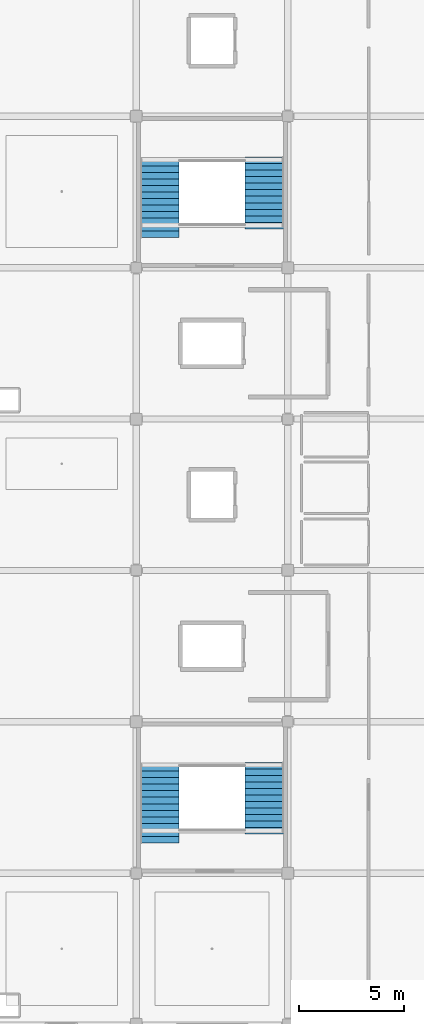
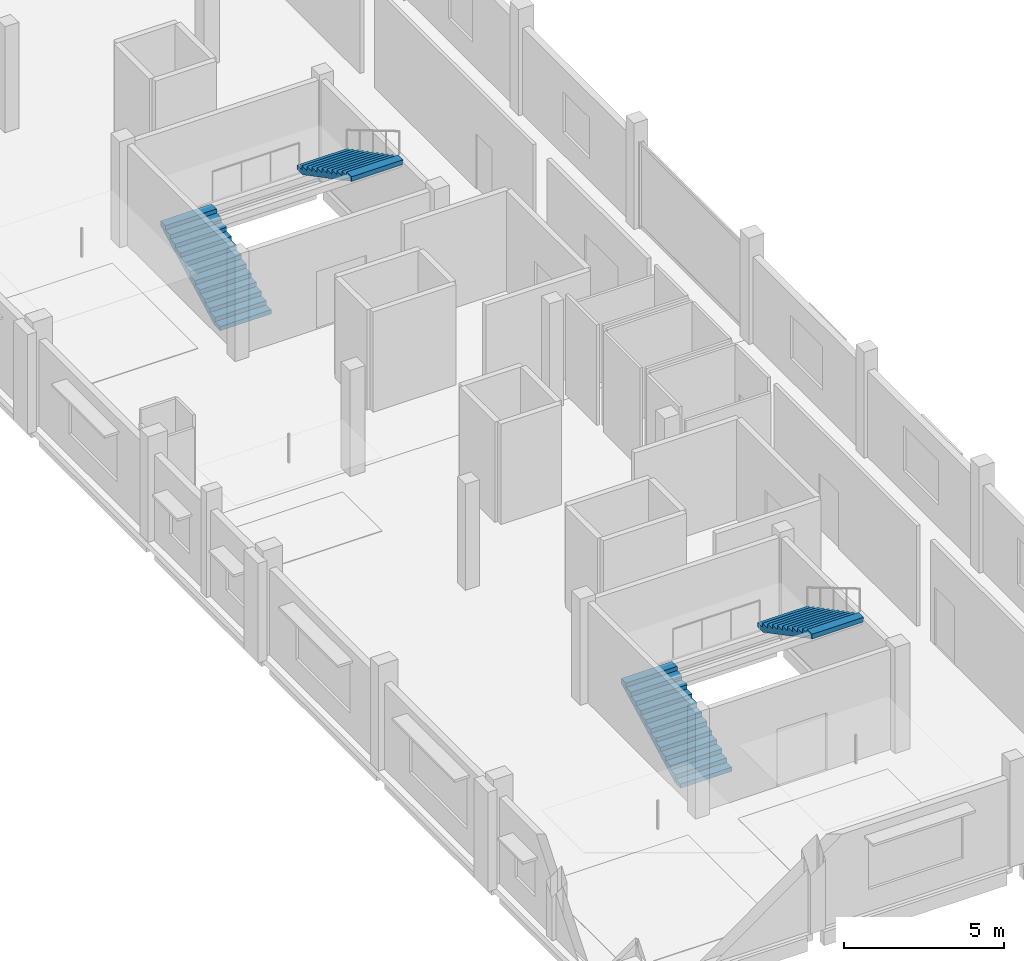
# One storey, part 11 of 15: 4 stair flights, 2 elements without a shape of their own.
"""IFC4 building model written with IfcOpenShell, lengths in metres."""

from ifc_helpers import new_model, si_unit, direction, frame, origin, place, context, subcontext, project, spatial, polyline, outline, extrude, material, type_object, element, aggregate, save


model = new_model("IFC4")

# Units and contexts
model_context = context("Model", 3, precision=1e-05, world=origin(), true_north=direction((0.0, 1.0)))
body_context = subcontext(model_context, "Body", "Model", "MODEL_VIEW")
ifc_project = project(units=[si_unit("LENGTHUNIT", "METRE"), si_unit("AREAUNIT", "SQUARE_METRE"), si_unit("VOLUMEUNIT", "CUBIC_METRE"), si_unit("PLANEANGLEUNIT", "RADIAN"), si_unit("MASSUNIT", "GRAM", prefix="KILO")], contexts=[model_context])

# Site, building, storey
site_placement = place(None, origin())
site = spatial("IfcSite", under=ifc_project, at=site_placement, CompositionType="ELEMENT")
building_placement = place(site_placement, origin())
building = spatial("IfcBuilding", under=site, at=building_placement, Name="Kangsadwip Square Police Headquarters", CompositionType="ELEMENT")
storey_placement = place(building_placement, frame((0.0, 0.0, 29.699951171875)))
storey = spatial("IfcBuildingStorey", under=building, at=storey_placement, Name="L07", CompositionType="ELEMENT", Elevation=29.699951171875)

# Stair, stair flight
ifc_material_1 = material(Name="Concrete M35 (35 MPa)", Category="concrete")
stair_type = type_object("IfcStairType", Name="Stair2FlightTypW1850", PredefinedType="HALF_TURN_STAIR", material=ifc_material_1)
stair_1_placement = place(storey_placement, origin())
stair_1 = element("IfcStair", 1, at=stair_1_placement, inside=storey, type_object=stair_type, Name="Protected Stair ST-01 L07", PredefinedType="HALF_TURN_STAIR")
ifc_material_2 = material(Name="Concrete M35 (35 MPa)", Category="concrete")
stair_flight_type_1 = type_object("IfcStairFlightType", Name="Flight12RTypW1850", PredefinedType="STRAIGHT", material=ifc_material_2)
stair_flight_1_placement = place(storey_placement, frame((13.294921875, 48.4599609375, 2.10595703125), z_axis=(0.0, 0.0, 1.0), x_axis=(0.0, -1.0, 0.0)))
stair_flight_1 = element("IfcStairFlight", 2, at=stair_flight_1_placement, type_object=stair_flight_type_1, Name="ST-01 flight 2", NumberOfRisers=12, NumberOfTreads=11, PredefinedType="STRAIGHT", RiserHeight=0.162, TreadLength=0.31, context=body_context, shape_type="SweptSolid", body=[
    extrude(outline(polyline([(0.0, 0.0), (0.0, 0.162109375), (0.31005859375, 0.162109375), (0.31005859375, 0.323974609375), (0.6201171875, 0.323974609375), (0.6201171875, 0.486083984375), (0.929931640625, 0.486083984375), (0.929931640625, 0.64794921875), (1.239990234375, 0.64794921875), (1.239990234375, 0.81005859375), (1.550048828125, 0.81005859375), (1.550048828125, 0.971923828125), (1.860107421875, 0.971923828125), (1.860107421875, 1.134033203125), (2.169921875, 1.134033203125), (2.169921875, 1.2958984375), (2.47998046875, 1.2958984375), (2.47998046875, 1.4580078125), (2.7900390625, 1.4580078125), (2.7900390625, 1.6201171875), (3.10009765625, 1.6201171875), (3.10009765625, 1.781982421875), (3.409912109375, 1.781982421875), (3.409912109375, 1.944091796875), (3.409912109375, 1.6015625), (0.34521484375, 0.0), (0.0, 0.0)])), frame((0.0, 0.925048828125, 0.0), z_axis=(0.0, -1.0, 0.0), x_axis=(1.0, 0.0, 0.0)), (0.0, 0.0, 1.0), 1.85009765625),
])

stair_2_placement = place(storey_placement, origin())
stair_2 = element("IfcStair", 3, at=stair_2_placement, inside=storey, type_object=stair_type, Name="Protected Stair ST-02 L07", PredefinedType="HALF_TURN_STAIR")
stair_flight_2_placement = place(storey_placement, frame((13.294921875, 77.260009765625, 2.10595703125), z_axis=(0.0, 0.0, 1.0), x_axis=(0.0, -1.0, 0.0)))
stair_flight_2 = element("IfcStairFlight", 4, at=stair_flight_2_placement, type_object=stair_flight_type_1, Name="ST-02 flight 2", NumberOfRisers=12, NumberOfTreads=11, PredefinedType="STRAIGHT", RiserHeight=0.162, TreadLength=0.31, context=body_context, shape_type="SweptSolid", body=[
    extrude(outline(polyline([(0.0, 0.0), (0.0, 0.162109375), (0.31005859375, 0.162109375), (0.31005859375, 0.323974609375), (0.6201171875, 0.323974609375), (0.6201171875, 0.486083984375), (0.929931640625, 0.486083984375), (0.929931640625, 0.64794921875), (1.239990234375, 0.64794921875), (1.239990234375, 0.81005859375), (1.550048828125, 0.81005859375), (1.550048828125, 0.971923828125), (1.860107421875, 0.971923828125), (1.860107421875, 1.134033203125), (2.169921875, 1.134033203125), (2.169921875, 1.2958984375), (2.47998046875, 1.2958984375), (2.47998046875, 1.4580078125), (2.7900390625, 1.4580078125), (2.7900390625, 1.6201171875), (3.10009765625, 1.6201171875), (3.10009765625, 1.781982421875), (3.409912109375, 1.781982421875), (3.409912109375, 1.944091796875), (3.409912109375, 1.6015625), (0.34521484375, 0.0), (0.0, 0.0)])), frame((0.0, 0.925048828125, 0.0), z_axis=(0.0, -1.0, 0.0), x_axis=(1.0, 0.0, 0.0)), (0.0, 0.0, 1.0), 1.85009765625),
])

# Stair flight
ifc_material_3 = material(Name="Concrete M35 (35 MPa)", Category="concrete")
stair_flight_type_2 = type_object("IfcStairFlightType", Name="Flight13RTypW1850", PredefinedType="STRAIGHT", material=ifc_material_3)
stair_flight_3_placement = place(storey_placement, frame((8.304931640625, 44.639892578125, 0.0), z_axis=(0.0, 0.0, 1.0), x_axis=(0.0, 1.0, 0.0)))
stair_flight_3 = element("IfcStairFlight", 5, at=stair_flight_3_placement, type_object=stair_flight_type_2, Name="ST-01 flight 1", NumberOfRisers=13, NumberOfTreads=12, PredefinedType="STRAIGHT", RiserHeight=0.162, TreadLength=0.31, context=body_context, shape_type="SweptSolid", body=[
    extrude(outline(polyline([(0.0, 0.0), (0.0, 0.162109375), (0.31005859375, 0.162109375), (0.31005859375, 0.323974609375), (0.6201171875, 0.323974609375), (0.6201171875, 0.486083984375), (0.929931640625, 0.486083984375), (0.929931640625, 0.64794921875), (1.239990234375, 0.64794921875), (1.239990234375, 0.81005859375), (1.550048828125, 0.81005859375), (1.550048828125, 0.971923828125), (1.860107421875, 0.971923828125), (1.860107421875, 1.134033203125), (2.169921875, 1.134033203125), (2.169921875, 1.2958984375), (2.47998046875, 1.2958984375), (2.47998046875, 1.4580078125), (2.7900390625, 1.4580078125), (2.7900390625, 1.6201171875), (3.10009765625, 1.6201171875), (3.10009765625, 1.781982421875), (3.409912109375, 1.781982421875), (3.409912109375, 1.944091796875), (3.719970703125, 1.944091796875), (3.719970703125, 2.10595703125), (3.719970703125, 1.763671875), (0.34521484375, 0.0), (0.0, 0.0)])), frame((0.0, 0.925048828125, 0.0), z_axis=(0.0, -1.0, 0.0), x_axis=(1.0, 0.0, 0.0)), (0.0, 0.0, 1.0), 1.85009765625),
])

aggregate(stair_1, [stair_flight_3, stair_flight_1])

stair_flight_4_placement = place(storey_placement, frame((8.304931640625, 73.43994140625, 0.0), z_axis=(0.0, 0.0, 1.0), x_axis=(0.0, 1.0, 0.0)))
stair_flight_4 = element("IfcStairFlight", 6, at=stair_flight_4_placement, type_object=stair_flight_type_2, Name="ST-02 flight 1", NumberOfRisers=13, NumberOfTreads=12, PredefinedType="STRAIGHT", RiserHeight=0.162, TreadLength=0.31, context=body_context, shape_type="SweptSolid", body=[
    extrude(outline(polyline([(0.0, 0.0), (0.0, 0.162109375), (0.31005859375, 0.162109375), (0.31005859375, 0.323974609375), (0.6201171875, 0.323974609375), (0.6201171875, 0.486083984375), (0.929931640625, 0.486083984375), (0.929931640625, 0.64794921875), (1.239990234375, 0.64794921875), (1.239990234375, 0.81005859375), (1.550048828125, 0.81005859375), (1.550048828125, 0.971923828125), (1.860107421875, 0.971923828125), (1.860107421875, 1.134033203125), (2.169921875, 1.134033203125), (2.169921875, 1.2958984375), (2.47998046875, 1.2958984375), (2.47998046875, 1.4580078125), (2.7900390625, 1.4580078125), (2.7900390625, 1.6201171875), (3.10009765625, 1.6201171875), (3.10009765625, 1.781982421875), (3.409912109375, 1.781982421875), (3.409912109375, 1.944091796875), (3.719970703125, 1.944091796875), (3.719970703125, 2.10595703125), (3.719970703125, 1.763671875), (0.34521484375, 0.0), (0.0, 0.0)])), frame((0.0, 0.925048828125, 0.0), z_axis=(0.0, -1.0, 0.0), x_axis=(1.0, 0.0, 0.0)), (0.0, 0.0, 1.0), 1.85009765625),
])

aggregate(stair_2, [stair_flight_4, stair_flight_2])

save(model, "model.ifc")
